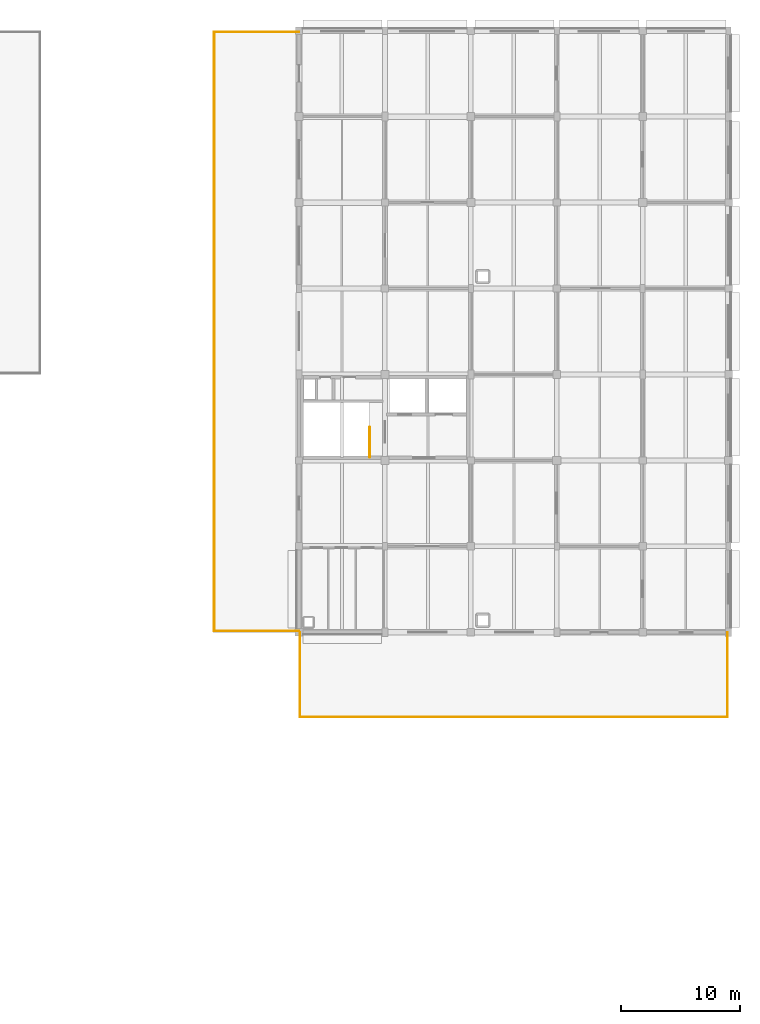
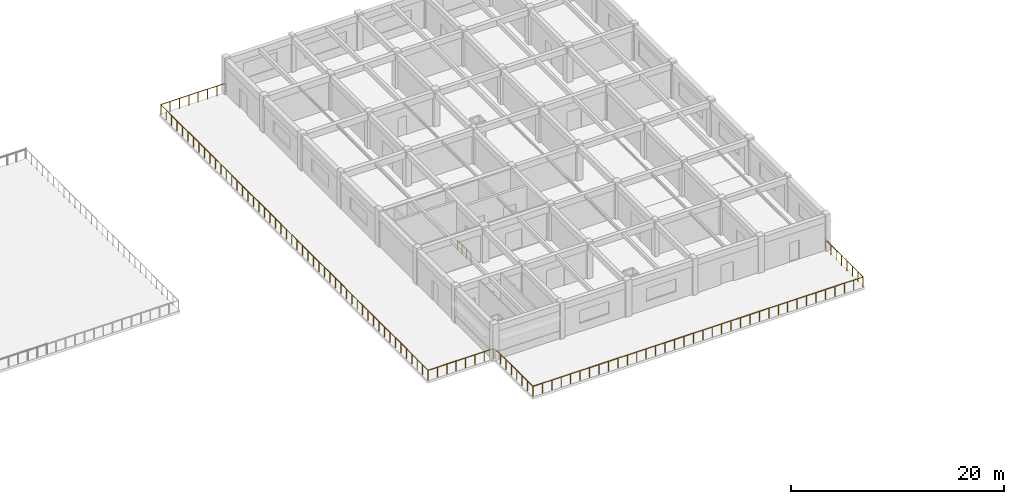
# One storey, part 38 of 38: 17 railings.
"""IFC4 building model written with IfcOpenShell, lengths in metres."""

import ifcopenshell
import ifcopenshell.guid

model = None  # the IFC model being written
_history = None  # IfcOwnerHistory: only IFC2X3 demands one
_inside = {}  # id of a spatial element -> (the spatial element, [elements in it])
_under = {}  # id of a project, library or spatial element -> (it, [spatial elements below it])
_declared = {}  # id of a project -> (the project, [libraries it declares])
_typed = {}  # id of a type object -> (the type object, [elements of that type])
_made_of = {}  # id of a material, layer set ... -> (it, [elements and type objects made of it])


def new_model(schema):
    """Start an empty IFC model of exactly this schema.

    Asked for "IFC4X3", IfcOpenShell would pick the latest addendum, in which some entities
    have other attributes; the version numbers below select the first issue.
    IFC2X3 requires an IfcOwnerHistory on every rooted entity: one is made here for all.
    """
    global model, _history
    if schema == "IFC4X3":
        model = ifcopenshell.file(schema_version=(4, 3, 0, 0))
    else:
        model = ifcopenshell.file(schema=schema)
    _inside.clear()
    _under.clear()
    _declared.clear()
    _typed.clear()
    _made_of.clear()
    _history = None
    if model.schema == "IFC2X3":
        org = make("IfcOrganization", Name="unknown")
        user = make(
            "IfcPersonAndOrganization",
            ThePerson=make("IfcPerson", FamilyName="unknown"),
            TheOrganization=org,
        )
        app = make(
            "IfcApplication",
            ApplicationDeveloper=org,
            Version="unknown",
            ApplicationFullName="unknown",
            ApplicationIdentifier="unknown",
        )
        _history = make(
            "IfcOwnerHistory",
            OwningUser=user,
            OwningApplication=app,
            ChangeAction="ADDED",
            CreationDate=0,
        )
    return model


def make(cls, **values):
    """One entity of the class cls with the attributes given. An attribute that is None is left unset."""
    return model.create_entity(
        cls, **{name: value for name, value in values.items() if value is not None}
    )


def rooted(cls, **values):
    """An entity with a GlobalId (a new one), such as an element, a storey or a relation."""
    return make(cls, GlobalId=ifcopenshell.guid.new(), OwnerHistory=_history, **values)


def si_unit(unit_type, name, prefix=None):
    """IfcSIUnit, for example si_unit("LENGTHUNIT", "METRE", prefix="MILLI")."""
    return make("IfcSIUnit", UnitType=unit_type, Prefix=prefix, Name=name)


def assignment(units):
    """IfcUnitAssignment: the units of a project."""
    return None if units is None else make("IfcUnitAssignment", Units=units)


def point(xyz):
    """IfcCartesianPoint."""
    return None if xyz is None else make("IfcCartesianPoint", Coordinates=xyz)


def direction(xyz):
    """IfcDirection."""
    return None if xyz is None else make("IfcDirection", DirectionRatios=xyz)


def frame(location, z_axis=None, x_axis=None):
    """IfcAxis2Placement3D, a coordinate frame: its origin and axes. An axis left out is left unset."""
    return make(
        "IfcAxis2Placement3D",
        Location=point(location),
        Axis=direction(z_axis),
        RefDirection=direction(x_axis),
    )


def frame_2d(location, x_axis=None):
    """IfcAxis2Placement2D, a coordinate frame in the plane: its origin and x axis."""
    return make(
        "IfcAxis2Placement2D", Location=point(location), RefDirection=direction(x_axis)
    )


def origin():
    """The frame at (0, 0, 0) with its axes left unset."""
    return frame((0.0, 0.0, 0.0))


def origin_2d():
    """The frame at (0, 0) in the plane with its x axis left unset."""
    return frame_2d((0.0, 0.0))


def place(relative_to, where):
    """IfcLocalPlacement: puts the frame where relative to a parent placement (None: the world)."""
    return make(
        "IfcLocalPlacement", PlacementRelTo=relative_to, RelativePlacement=where
    )


def context(
    kind, dimensions, precision=None, world=None, true_north=None, identifier=None
):
    """IfcGeometricRepresentationContext, for example the 3D "Model" context."""
    return make(
        "IfcGeometricRepresentationContext",
        ContextIdentifier=identifier,
        ContextType=kind,
        CoordinateSpaceDimension=dimensions,
        Precision=precision,
        WorldCoordinateSystem=world,
        TrueNorth=true_north,
    )


def subcontext(parent, identifier, kind, view, scale=None):
    """IfcGeometricRepresentationSubContext, for example "Body" below "Model"."""
    return make(
        "IfcGeometricRepresentationSubContext",
        ContextIdentifier=identifier,
        ContextType=kind,
        ParentContext=parent,
        TargetScale=scale,
        TargetView=view,
    )


def project(units=None, contexts=None):
    """IfcProject with its units and contexts."""
    return rooted(
        "IfcProject",
        Name="project",
        RepresentationContexts=contexts,
        UnitsInContext=assignment(units),
    )


def spatial(cls, under=None, at=None, **own):
    """A site, building, storey or space (cls), placed at a placement, below another one or the project."""
    s = rooted(cls, ObjectPlacement=at, **own)
    if under is not None:
        _under.setdefault(under.id(), (under, []))[1].append(s)
    return s


def profile(cls, at=None, kind="AREA", **sizes):
    """A parametric profile (cls). Its sizes go by their IFC names, for example OverallWidth=200.0."""
    return make(cls, ProfileType=kind, Position=at, **sizes)


def circle(**sizes):
    """IfcCircleProfileDef."""
    return profile("IfcCircleProfileDef", **sizes)


def extrude(swept, where, along, depth):
    """IfcExtrudedAreaSolid: the profile swept, set in the frame where, extruded along a direction by depth."""
    return make(
        "IfcExtrudedAreaSolid",
        SweptArea=swept,
        Position=where,
        ExtrudedDirection=direction(along),
        Depth=depth,
    )


def shape(context_of_items, identifier, shape_type, items):
    """IfcShapeRepresentation: the items that make up one representation, for example the "Body"."""
    return make(
        "IfcShapeRepresentation",
        ContextOfItems=context_of_items,
        RepresentationIdentifier=identifier,
        RepresentationType=shape_type,
        Items=items,
    )


def material(Name=None, Category=None):
    """IfcMaterial."""
    return make("IfcMaterial", Name=Name, Category=Category)


def made_of(thing, what):
    """Note that an element or type object is made of a material, layer set ...; save() writes the relation."""
    if what is not None:
        _made_of.setdefault(what.id(), (what, []))[1].append(thing)
    return thing


def type_object(cls, material=None, **own):
    """A type object (cls), such as IfcWallType, which elements share."""
    return made_of(rooted(cls, **own), material)


def element(
    cls,
    number,
    at=None,
    inside=None,
    cuts=None,
    type_object=None,
    material=None,
    context=None,
    identifier="Body",
    shape_type=None,
    held_by="IfcProductDefinitionShape",
    body=None,
    shapes=None,
    **own,
):
    """One element of the class cls, such as IfcWall. Its Tag is "e" and its number.

    at: its placement. inside: the storey or other place that contains it. cuts: it is an
    opening in that element (IfcRelVoidsElement). A single representation is given by context,
    identifier, shape_type and body (its items); several are given by shapes. held_by: the class
    of the entity that holds the representations. save() writes the other relations.
    """
    e = rooted(cls, Tag="e%d" % number, ObjectPlacement=at, **own)
    if body is not None:
        shapes = [shape(context, identifier, shape_type, body)]
    if shapes is not None:
        e.Representation = make(held_by, Representations=shapes)
    if inside is not None:
        _inside.setdefault(inside.id(), (inside, []))[1].append(e)
    if cuts is not None:
        rooted(
            "IfcRelVoidsElement", RelatingBuildingElement=cuts, RelatedOpeningElement=e
        )
    if type_object is not None:
        _typed.setdefault(type_object.id(), (type_object, []))[1].append(e)
    return made_of(e, material)


def aggregate(whole, parts):
    """IfcRelAggregates: a whole, such as a stair, and the parts it consists of."""
    return rooted("IfcRelAggregates", RelatingObject=whole, RelatedObjects=parts)


def save(model, path):
    """Write the relations noted so far, then the file.

    IfcRelAggregates (storeys below a building ...), IfcRelContainedInSpatialStructure (elements
    in a storey), IfcRelDefinesByType, IfcRelAssociatesMaterial and IfcRelDeclares: one each for
    every whole, place, type object, material and project.
    """
    for whole, parts in _under.values():
        aggregate(whole, parts)
    for where, things in _inside.values():
        rooted(
            "IfcRelContainedInSpatialStructure",
            RelatedElements=things,
            RelatingStructure=where,
        )
    for kind, things in _typed.values():
        rooted("IfcRelDefinesByType", RelatedObjects=things, RelatingType=kind)
    for what, things in _made_of.values():
        rooted("IfcRelAssociatesMaterial", RelatedObjects=things, RelatingMaterial=what)
    for by, libraries in _declared.values():
        rooted("IfcRelDeclares", RelatingContext=by, RelatedDefinitions=libraries)
    model.write(path)


model = new_model("IFC4")

# Units and contexts
model_context = context("Model", 3, precision=1e-05, world=origin(), true_north=direction((0.0, 1.0)))
body_context = subcontext(model_context, "Body", "Model", "MODEL_VIEW")
ifc_project = project(units=[si_unit("LENGTHUNIT", "METRE"), si_unit("AREAUNIT", "SQUARE_METRE"), si_unit("VOLUMEUNIT", "CUBIC_METRE"), si_unit("PLANEANGLEUNIT", "RADIAN"), si_unit("MASSUNIT", "GRAM", prefix="KILO")], contexts=[model_context])

# Site, building, storey
site_placement = place(None, origin())
site = spatial("IfcSite", under=ifc_project, at=site_placement, CompositionType="ELEMENT")
building_placement = place(site_placement, origin())
building = spatial("IfcBuilding", under=site, at=building_placement, Name="Thalmaran Polytechnic", CompositionType="ELEMENT")
storey_placement = place(building_placement, frame((0.0, 0.0, 18.60009765625)))
storey = spatial("IfcBuildingStorey", under=building, at=storey_placement, Name="L04", CompositionType="ELEMENT", Elevation=18.60009765625)

# Railings
ifc_material_1 = material(Name="Stainless steel 316 and laminated glass", Category="steel")
railing_type_1 = type_object("IfcRailingType", Name="RL-BL01", PredefinedType="BALUSTRADE", material=ifc_material_1)
railing_1_placement = place(storey_placement, frame((129.699951171875, 122.300048828125, 0.0)))
element("IfcRailing", 1, at=railing_1_placement, inside=storey, type_object=railing_type_1, Name="Terrace Balustrade Guard L04-2-1", PredefinedType="BALUSTRADE", context=body_context, shape_type="SweptSolid", body=[
    extrude(circle(Radius=0.02392578125, at=origin_2d()), frame((0.0, 0.0, 1.1259765625), z_axis=(1.0, 0.0, 0.0), x_axis=(0.0, 1.0, 0.0)), (0.0, 0.0, 1.0), 7.090087890625),
    extrude(circle(Radius=0.02099609375, at=origin_2d()), origin(), (0.0, 0.0, 1.0), 1.101806640625),
    extrude(circle(Radius=0.02099609375, at=origin_2d()), frame((1.012939453125, 0.0, 0.0)), (0.0, 0.0, 1.0), 1.101806640625),
    extrude(circle(Radius=0.02099609375, at=origin_2d()), frame((2.025634765625, 0.0, 0.0)), (0.0, 0.0, 1.0), 1.101806640625),
    extrude(circle(Radius=0.02099609375, at=origin_2d()), frame((3.03857421875, 0.0, 0.0)), (0.0, 0.0, 1.0), 1.101806640625),
    extrude(circle(Radius=0.02099609375, at=origin_2d()), frame((4.051513671875, 0.0, 0.0)), (0.0, 0.0, 1.0), 1.101806640625),
    extrude(circle(Radius=0.02099609375, at=origin_2d()), frame((5.064453125, 0.0, 0.0)), (0.0, 0.0, 1.0), 1.101806640625),
    extrude(circle(Radius=0.02099609375, at=origin_2d()), frame((6.0771484375, 0.0, 0.0)), (0.0, 0.0, 1.0), 1.101806640625),
    extrude(circle(Radius=0.02099609375, at=origin_2d()), frame((7.090087890625, 0.0, 0.0)), (0.0, 0.0, 1.0), 1.101806640625),
])
railing_2_placement = place(storey_placement, frame((136.7900390625, 72.10009765625, 0.0)))
element("IfcRailing", 2, at=railing_2_placement, inside=storey, type_object=railing_type_1, Name="Terrace Balustrade Guard L04-2-9", PredefinedType="BALUSTRADE", context=body_context, shape_type="SweptSolid", body=[
    extrude(circle(Radius=0.02392578125, at=origin_2d()), frame((0.0, 0.0, 1.1259765625), z_axis=(-1.0, 0.0, 0.0), x_axis=(0.0, -1.0, 0.0)), (0.0, 0.0, 1.0), 7.090087890625),
    extrude(circle(Radius=0.02099609375, at=origin_2d()), origin(), (0.0, 0.0, 1.0), 1.101806640625),
    extrude(circle(Radius=0.02099609375, at=origin_2d()), frame((-1.012939453125, 0.0, 0.0)), (0.0, 0.0, 1.0), 1.101806640625),
    extrude(circle(Radius=0.02099609375, at=origin_2d()), frame((-2.025634765625, 0.0, 0.0)), (0.0, 0.0, 1.0), 1.101806640625),
    extrude(circle(Radius=0.02099609375, at=origin_2d()), frame((-3.03857421875, 0.0, 0.0)), (0.0, 0.0, 1.0), 1.101806640625),
    extrude(circle(Radius=0.02099609375, at=origin_2d()), frame((-4.051513671875, 0.0, 0.0)), (0.0, 0.0, 1.0), 1.101806640625),
    extrude(circle(Radius=0.02099609375, at=origin_2d()), frame((-5.064453125, 0.0, 0.0)), (0.0, 0.0, 1.0), 1.101806640625),
    extrude(circle(Radius=0.02099609375, at=origin_2d()), frame((-6.0771484375, 0.0, 0.0)), (0.0, 0.0, 1.0), 1.101806640625),
    extrude(circle(Radius=0.02099609375, at=origin_2d()), frame((-7.090087890625, 0.0, 0.0)), (0.0, 0.0, 1.0), 1.101806640625),
])
for number, where, name in (
    (3, (129.699951171875, 72.10009765625, 0.0), "Terrace Balustrade Guard L04-2-10"),
    (4, (129.699951171875, 79.271484375, 0.0), "Terrace Balustrade Guard L04-2-11"),
    (5, (129.699951171875, 86.44287109375, 0.0), "Terrace Balustrade Guard L04-2-12"),
    (6, (129.699951171875, 93.6142578125, 0.0), "Terrace Balustrade Guard L04-2-13"),
    (7, (129.699951171875, 100.78564453125, 0.0), "Terrace Balustrade Guard L04-2-14"),
):
    element("IfcRailing", number, at=place(storey_placement, frame(where)), inside=storey, type_object=railing_type_1, Name=name, PredefinedType="BALUSTRADE", context=body_context, shape_type="SweptSolid", body=[
        extrude(circle(Radius=0.02392578125, at=origin_2d()), frame((0.0, 0.0, 1.1259765625), z_axis=(0.0, 1.0, 0.0), x_axis=(-1.0, 0.0, 0.0)), (0.0, 0.0, 1.0), 7.17138671875),
        extrude(circle(Radius=0.02099609375, at=origin_2d()), origin(), (0.0, 0.0, 1.0), 1.101806640625),
        extrude(circle(Radius=0.02099609375, at=origin_2d()), frame((0.0, 1.0244140625, 0.0)), (0.0, 0.0, 1.0), 1.101806640625),
        extrude(circle(Radius=0.02099609375, at=origin_2d()), frame((0.0, 2.049072265625, 0.0)), (0.0, 0.0, 1.0), 1.101806640625),
        extrude(circle(Radius=0.02099609375, at=origin_2d()), frame((0.0, 3.073486328125, 0.0)), (0.0, 0.0, 1.0), 1.101806640625),
        extrude(circle(Radius=0.02099609375, at=origin_2d()), frame((0.0, 4.097900390625, 0.0)), (0.0, 0.0, 1.0), 1.101806640625),
        extrude(circle(Radius=0.02099609375, at=origin_2d()), frame((0.0, 5.122314453125, 0.0)), (0.0, 0.0, 1.0), 1.101806640625),
        extrude(circle(Radius=0.02099609375, at=origin_2d()), frame((0.0, 6.14697265625, 0.0)), (0.0, 0.0, 1.0), 1.101806640625),
        extrude(circle(Radius=0.02099609375, at=origin_2d()), frame((0.0, 7.17138671875, 0.0)), (0.0, 0.0, 1.0), 1.101806640625),
    ])
railing_3_placement = place(storey_placement, frame((129.699951171875, 107.95703125, 0.0)))
element("IfcRailing", 8, at=railing_3_placement, inside=storey, type_object=railing_type_1, Name="Terrace Balustrade Guard L04-2-15", PredefinedType="BALUSTRADE", context=body_context, shape_type="SweptSolid", body=[
    extrude(circle(Radius=0.02392578125, at=origin_2d()), frame((0.0, 0.0, 1.1259765625), z_axis=(0.0, 1.0, 0.0), x_axis=(-1.0, 0.0, 0.0)), (0.0, 0.0, 1.0), 7.171630859375),
    extrude(circle(Radius=0.02099609375, at=origin_2d()), origin(), (0.0, 0.0, 1.0), 1.101806640625),
    extrude(circle(Radius=0.02099609375, at=origin_2d()), frame((0.0, 1.0244140625, 0.0)), (0.0, 0.0, 1.0), 1.101806640625),
    extrude(circle(Radius=0.02099609375, at=origin_2d()), frame((0.0, 2.049072265625, 0.0)), (0.0, 0.0, 1.0), 1.101806640625),
    extrude(circle(Radius=0.02099609375, at=origin_2d()), frame((0.0, 3.073486328125, 0.0)), (0.0, 0.0, 1.0), 1.101806640625),
    extrude(circle(Radius=0.02099609375, at=origin_2d()), frame((0.0, 4.09814453125, 0.0)), (0.0, 0.0, 1.0), 1.101806640625),
    extrude(circle(Radius=0.02099609375, at=origin_2d()), frame((0.0, 5.12255859375, 0.0)), (0.0, 0.0, 1.0), 1.101806640625),
    extrude(circle(Radius=0.02099609375, at=origin_2d()), frame((0.0, 6.147216796875, 0.0)), (0.0, 0.0, 1.0), 1.101806640625),
    extrude(circle(Radius=0.02099609375, at=origin_2d()), frame((0.0, 7.171630859375, 0.0)), (0.0, 0.0, 1.0), 1.101806640625),
])
railing_4_placement = place(storey_placement, frame((129.699951171875, 115.128662109375, 0.0)))
element("IfcRailing", 9, at=railing_4_placement, inside=storey, type_object=railing_type_1, Name="Terrace Balustrade Guard L04-2-16", PredefinedType="BALUSTRADE", context=body_context, shape_type="SweptSolid", body=[
    extrude(circle(Radius=0.02392578125, at=origin_2d()), frame((0.0, 0.0, 1.1259765625), z_axis=(0.0, 1.0, 0.0), x_axis=(-1.0, 0.0, 0.0)), (0.0, 0.0, 1.0), 7.17138671875),
    extrude(circle(Radius=0.02099609375, at=origin_2d()), origin(), (0.0, 0.0, 1.0), 1.101806640625),
    extrude(circle(Radius=0.02099609375, at=origin_2d()), frame((0.0, 1.0244140625, 0.0)), (0.0, 0.0, 1.0), 1.101806640625),
    extrude(circle(Radius=0.02099609375, at=origin_2d()), frame((0.0, 2.049072265625, 0.0)), (0.0, 0.0, 1.0), 1.101806640625),
    extrude(circle(Radius=0.02099609375, at=origin_2d()), frame((0.0, 3.073486328125, 0.0)), (0.0, 0.0, 1.0), 1.101806640625),
    extrude(circle(Radius=0.02099609375, at=origin_2d()), frame((0.0, 4.097900390625, 0.0)), (0.0, 0.0, 1.0), 1.101806640625),
    extrude(circle(Radius=0.02099609375, at=origin_2d()), frame((0.0, 5.122314453125, 0.0)), (0.0, 0.0, 1.0), 1.101806640625),
    extrude(circle(Radius=0.02099609375, at=origin_2d()), frame((0.0, 6.14697265625, 0.0)), (0.0, 0.0, 1.0), 1.101806640625),
    extrude(circle(Radius=0.02099609375, at=origin_2d()), frame((0.0, 7.17138671875, 0.0)), (0.0, 0.0, 1.0), 1.101806640625),
])
railing_5_placement = place(storey_placement, frame((172.699951171875, 71.989990234375, 0.0)))
element("IfcRailing", 10, at=railing_5_placement, inside=storey, type_object=railing_type_1, Name="Terrace Balustrade Guard L04-3-6", PredefinedType="BALUSTRADE", context=body_context, shape_type="SweptSolid", body=[
    extrude(circle(Radius=0.02392578125, at=origin_2d()), frame((0.0, 0.0, 1.1259765625), z_axis=(0.0, -1.0, 0.0), x_axis=(1.0, 0.0, 0.0)), (0.0, 0.0, 1.0), 7.090087890625),
    extrude(circle(Radius=0.02099609375, at=origin_2d()), origin(), (0.0, 0.0, 1.0), 1.101806640625),
    extrude(circle(Radius=0.02099609375, at=origin_2d()), frame((0.0, -1.012939453125, 0.0)), (0.0, 0.0, 1.0), 1.101806640625),
    extrude(circle(Radius=0.02099609375, at=origin_2d()), frame((0.0, -2.025634765625, 0.0)), (0.0, 0.0, 1.0), 1.101806640625),
    extrude(circle(Radius=0.02099609375, at=origin_2d()), frame((0.0, -3.03857421875, 0.0)), (0.0, 0.0, 1.0), 1.101806640625),
    extrude(circle(Radius=0.02099609375, at=origin_2d()), frame((0.0, -4.051513671875, 0.0)), (0.0, 0.0, 1.0), 1.101806640625),
    extrude(circle(Radius=0.02099609375, at=origin_2d()), frame((0.0, -5.064453125, 0.0)), (0.0, 0.0, 1.0), 1.101806640625),
    extrude(circle(Radius=0.02099609375, at=origin_2d()), frame((0.0, -6.0771484375, 0.0)), (0.0, 0.0, 1.0), 1.101806640625),
    extrude(circle(Radius=0.02099609375, at=origin_2d()), frame((0.0, -7.090087890625, 0.0)), (0.0, 0.0, 1.0), 1.101806640625),
])
railing_6_placement = place(storey_placement, frame((172.699951171875, 64.89990234375, 0.0)))
element("IfcRailing", 11, at=railing_6_placement, inside=storey, type_object=railing_type_1, Name="Terrace Balustrade Guard L04-3-7", PredefinedType="BALUSTRADE", context=body_context, shape_type="SweptSolid", body=[
    extrude(circle(Radius=0.02392578125, at=origin_2d()), frame((0.0, 0.0, 1.1259765625), z_axis=(-1.0, 0.0, 0.0), x_axis=(0.0, -1.0, 0.0)), (0.0, 0.0, 1.0), 7.159912109375),
    extrude(circle(Radius=0.02099609375, at=origin_2d()), origin(), (0.0, 0.0, 1.0), 1.101806640625),
    extrude(circle(Radius=0.02099609375, at=origin_2d()), frame((-1.02294921875, 0.0, 0.0)), (0.0, 0.0, 1.0), 1.101806640625),
    extrude(circle(Radius=0.02099609375, at=origin_2d()), frame((-2.045654296875, 0.0, 0.0)), (0.0, 0.0, 1.0), 1.101806640625),
    extrude(circle(Radius=0.02099609375, at=origin_2d()), frame((-3.068603515625, 0.0, 0.0)), (0.0, 0.0, 1.0), 1.101806640625),
    extrude(circle(Radius=0.02099609375, at=origin_2d()), frame((-4.09130859375, 0.0, 0.0)), (0.0, 0.0, 1.0), 1.101806640625),
    extrude(circle(Radius=0.02099609375, at=origin_2d()), frame((-5.1142578125, 0.0, 0.0)), (0.0, 0.0, 1.0), 1.101806640625),
    extrude(circle(Radius=0.02099609375, at=origin_2d()), frame((-6.136962890625, 0.0, 0.0)), (0.0, 0.0, 1.0), 1.101806640625),
    extrude(circle(Radius=0.02099609375, at=origin_2d()), frame((-7.159912109375, 0.0, 0.0)), (0.0, 0.0, 1.0), 1.101806640625),
])
railing_7_placement = place(storey_placement, frame((165.5400390625, 64.89990234375, 0.0)))
element("IfcRailing", 12, at=railing_7_placement, inside=storey, type_object=railing_type_1, Name="Terrace Balustrade Guard L04-3-8", PredefinedType="BALUSTRADE", context=body_context, shape_type="SweptSolid", body=[
    extrude(circle(Radius=0.02392578125, at=origin_2d()), frame((0.0, 0.0, 1.1259765625), z_axis=(-1.0, 0.0, 0.0), x_axis=(0.0, -1.0, 0.0)), (0.0, 0.0, 1.0), 7.16015625),
    extrude(circle(Radius=0.02099609375, at=origin_2d()), origin(), (0.0, 0.0, 1.0), 1.101806640625),
    extrude(circle(Radius=0.02099609375, at=origin_2d()), frame((-1.02294921875, 0.0, 0.0)), (0.0, 0.0, 1.0), 1.101806640625),
    extrude(circle(Radius=0.02099609375, at=origin_2d()), frame((-2.045654296875, 0.0, 0.0)), (0.0, 0.0, 1.0), 1.101806640625),
    extrude(circle(Radius=0.02099609375, at=origin_2d()), frame((-3.068603515625, 0.0, 0.0)), (0.0, 0.0, 1.0), 1.101806640625),
    extrude(circle(Radius=0.02099609375, at=origin_2d()), frame((-4.091552734375, 0.0, 0.0)), (0.0, 0.0, 1.0), 1.101806640625),
    extrude(circle(Radius=0.02099609375, at=origin_2d()), frame((-5.114501953125, 0.0, 0.0)), (0.0, 0.0, 1.0), 1.101806640625),
    extrude(circle(Radius=0.02099609375, at=origin_2d()), frame((-6.13720703125, 0.0, 0.0)), (0.0, 0.0, 1.0), 1.101806640625),
    extrude(circle(Radius=0.02099609375, at=origin_2d()), frame((-7.16015625, 0.0, 0.0)), (0.0, 0.0, 1.0), 1.101806640625),
])
for number, where, name in (
    (13, (158.3798828125, 64.89990234375, 0.0), "Terrace Balustrade Guard L04-3-9"),
    (14, (151.219970703125, 64.89990234375, 0.0), "Terrace Balustrade Guard L04-3-10"),
):
    element("IfcRailing", number, at=place(storey_placement, frame(where)), inside=storey, type_object=railing_type_1, Name=name, PredefinedType="BALUSTRADE", context=body_context, shape_type="SweptSolid", body=[
        extrude(circle(Radius=0.02392578125, at=origin_2d()), frame((0.0, 0.0, 1.1259765625), z_axis=(-1.0, 0.0, 0.0), x_axis=(0.0, -1.0, 0.0)), (0.0, 0.0, 1.0), 7.159912109375),
        extrude(circle(Radius=0.02099609375, at=origin_2d()), origin(), (0.0, 0.0, 1.0), 1.101806640625),
        extrude(circle(Radius=0.02099609375, at=origin_2d()), frame((-1.02294921875, 0.0, 0.0)), (0.0, 0.0, 1.0), 1.101806640625),
        extrude(circle(Radius=0.02099609375, at=origin_2d()), frame((-2.045654296875, 0.0, 0.0)), (0.0, 0.0, 1.0), 1.101806640625),
        extrude(circle(Radius=0.02099609375, at=origin_2d()), frame((-3.068603515625, 0.0, 0.0)), (0.0, 0.0, 1.0), 1.101806640625),
        extrude(circle(Radius=0.02099609375, at=origin_2d()), frame((-4.09130859375, 0.0, 0.0)), (0.0, 0.0, 1.0), 1.101806640625),
        extrude(circle(Radius=0.02099609375, at=origin_2d()), frame((-5.1142578125, 0.0, 0.0)), (0.0, 0.0, 1.0), 1.101806640625),
        extrude(circle(Radius=0.02099609375, at=origin_2d()), frame((-6.136962890625, 0.0, 0.0)), (0.0, 0.0, 1.0), 1.101806640625),
        extrude(circle(Radius=0.02099609375, at=origin_2d()), frame((-7.159912109375, 0.0, 0.0)), (0.0, 0.0, 1.0), 1.101806640625),
    ])
railing_8_placement = place(storey_placement, frame((144.06005859375, 64.89990234375, 0.0)))
element("IfcRailing", 15, at=railing_8_placement, inside=storey, type_object=railing_type_1, Name="Terrace Balustrade Guard L04-3-11", PredefinedType="BALUSTRADE", context=body_context, shape_type="SweptSolid", body=[
    extrude(circle(Radius=0.02392578125, at=origin_2d()), frame((0.0, 0.0, 1.1259765625), z_axis=(-1.0, 0.0, 0.0), x_axis=(0.0, -1.0, 0.0)), (0.0, 0.0, 1.0), 7.16015625),
    extrude(circle(Radius=0.02099609375, at=origin_2d()), origin(), (0.0, 0.0, 1.0), 1.101806640625),
    extrude(circle(Radius=0.02099609375, at=origin_2d()), frame((-1.02294921875, 0.0, 0.0)), (0.0, 0.0, 1.0), 1.101806640625),
    extrude(circle(Radius=0.02099609375, at=origin_2d()), frame((-2.045654296875, 0.0, 0.0)), (0.0, 0.0, 1.0), 1.101806640625),
    extrude(circle(Radius=0.02099609375, at=origin_2d()), frame((-3.068603515625, 0.0, 0.0)), (0.0, 0.0, 1.0), 1.101806640625),
    extrude(circle(Radius=0.02099609375, at=origin_2d()), frame((-4.091552734375, 0.0, 0.0)), (0.0, 0.0, 1.0), 1.101806640625),
    extrude(circle(Radius=0.02099609375, at=origin_2d()), frame((-5.114501953125, 0.0, 0.0)), (0.0, 0.0, 1.0), 1.101806640625),
    extrude(circle(Radius=0.02099609375, at=origin_2d()), frame((-6.13720703125, 0.0, 0.0)), (0.0, 0.0, 1.0), 1.101806640625),
    extrude(circle(Radius=0.02099609375, at=origin_2d()), frame((-7.16015625, 0.0, 0.0)), (0.0, 0.0, 1.0), 1.101806640625),
])
railing_9_placement = place(storey_placement, frame((136.89990234375, 64.89990234375, 0.0)))
element("IfcRailing", 16, at=railing_9_placement, inside=storey, type_object=railing_type_1, Name="Terrace Balustrade Guard L04-3-12", PredefinedType="BALUSTRADE", context=body_context, shape_type="SweptSolid", body=[
    extrude(circle(Radius=0.02392578125, at=origin_2d()), frame((0.0, 0.0, 1.1259765625), z_axis=(0.0, 1.0, 0.0), x_axis=(-1.0, 0.0, 0.0)), (0.0, 0.0, 1.0), 7.090087890625),
    extrude(circle(Radius=0.02099609375, at=origin_2d()), origin(), (0.0, 0.0, 1.0), 1.101806640625),
    extrude(circle(Radius=0.02099609375, at=origin_2d()), frame((0.0, 1.012939453125, 0.0)), (0.0, 0.0, 1.0), 1.101806640625),
    extrude(circle(Radius=0.02099609375, at=origin_2d()), frame((0.0, 2.025634765625, 0.0)), (0.0, 0.0, 1.0), 1.101806640625),
    extrude(circle(Radius=0.02099609375, at=origin_2d()), frame((0.0, 3.03857421875, 0.0)), (0.0, 0.0, 1.0), 1.101806640625),
    extrude(circle(Radius=0.02099609375, at=origin_2d()), frame((0.0, 4.051513671875, 0.0)), (0.0, 0.0, 1.0), 1.101806640625),
    extrude(circle(Radius=0.02099609375, at=origin_2d()), frame((0.0, 5.064453125, 0.0)), (0.0, 0.0, 1.0), 1.101806640625),
    extrude(circle(Radius=0.02099609375, at=origin_2d()), frame((0.0, 6.0771484375, 0.0)), (0.0, 0.0, 1.0), 1.101806640625),
    extrude(circle(Radius=0.02099609375, at=origin_2d()), frame((0.0, 7.090087890625, 0.0)), (0.0, 0.0, 1.0), 1.101806640625),
])
ifc_material_2 = material(Name="Stainless steel 316", Category="steel")
railing_type_2 = type_object("IfcRailingType", Name="RL-GR01", PredefinedType="GUARDRAIL", material=ifc_material_2)
railing_10_placement = place(storey_placement, frame((142.72998046875, 86.64990234375, 0.0)))
element("IfcRailing", 17, at=railing_10_placement, inside=storey, type_object=railing_type_2, Name="ST5 L04 Landing Edge Guardrail", PredefinedType="GUARDRAIL", context=body_context, shape_type="SweptSolid", body=[
    extrude(circle(Radius=0.02392578125, at=origin_2d()), frame((0.0, 0.0, 1.1259765625), z_axis=(0.0, 1.0, 0.0), x_axis=(-1.0, 0.0, 0.0)), (0.0, 0.0, 1.0), 2.530029296875),
    extrude(circle(Radius=0.02099609375, at=origin_2d()), origin(), (0.0, 0.0, 1.0), 1.101806640625),
    extrude(circle(Radius=0.02099609375, at=origin_2d()), frame((0.0, 0.84326171875, 0.0)), (0.0, 0.0, 1.0), 1.101806640625),
    extrude(circle(Radius=0.02099609375, at=origin_2d()), frame((0.0, 1.686767578125, 0.0)), (0.0, 0.0, 1.0), 1.101806640625),
    extrude(circle(Radius=0.02099609375, at=origin_2d()), frame((0.0, 2.530029296875, 0.0)), (0.0, 0.0, 1.0), 1.101806640625),
])

save(model, "model.ifc")
